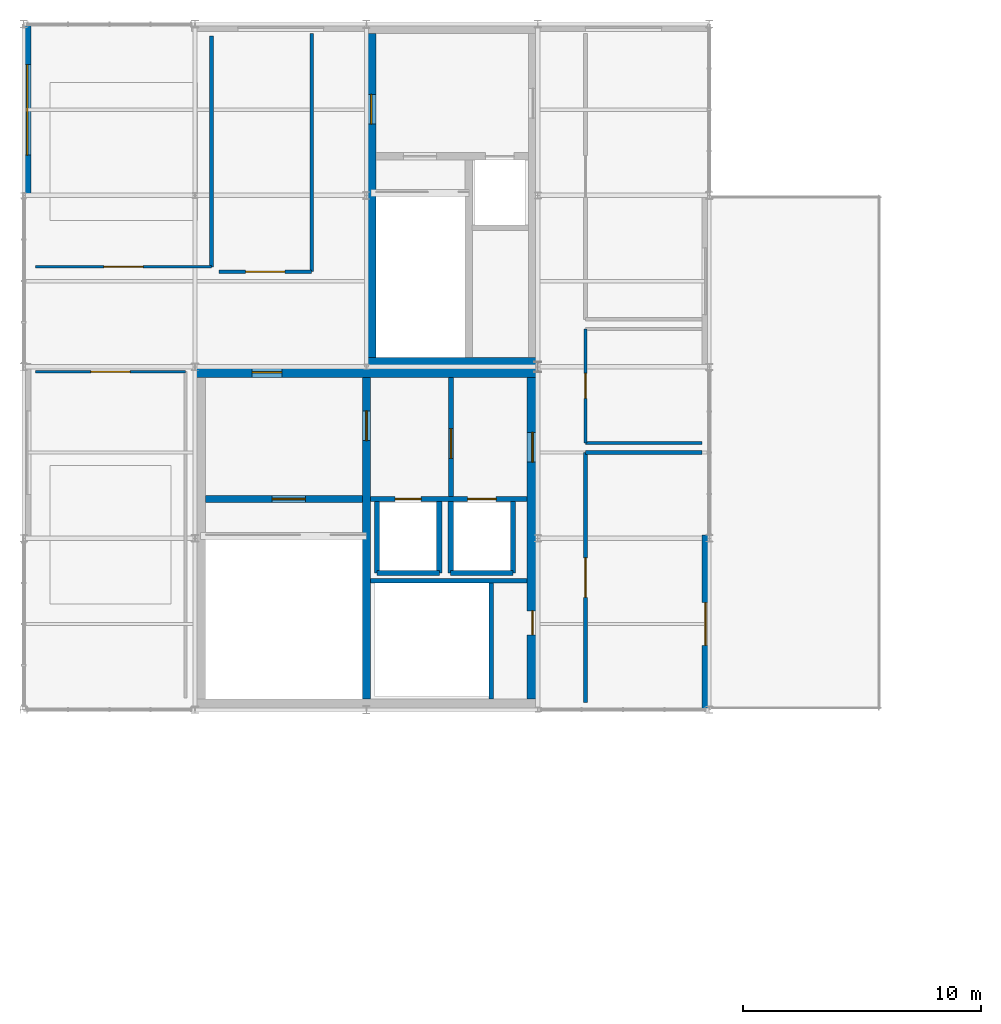
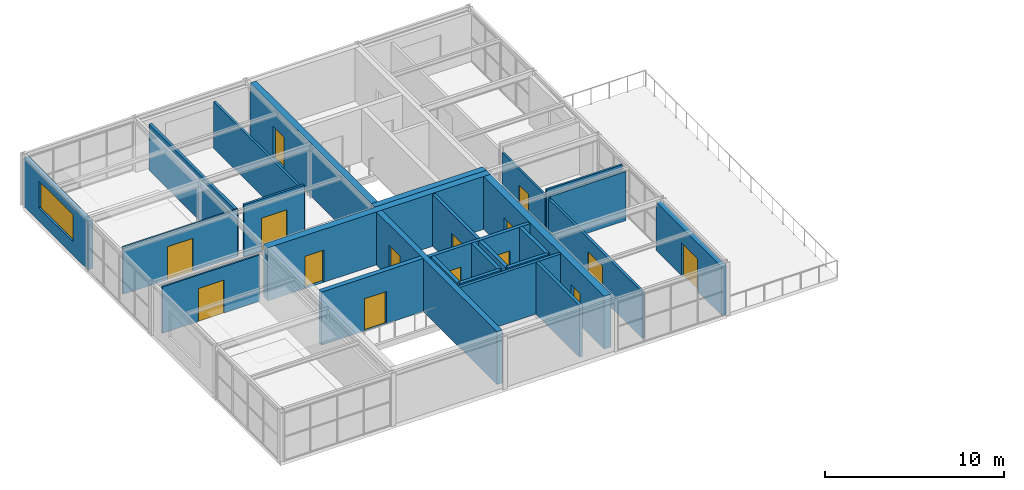
# One storey, part 8 of 12: 27 walls, 15 doors, 1 window, 16 openings.
"""IFC4 building model written with IfcOpenShell, lengths in metres."""

from ifc_helpers import new_model, si_unit, direction, frame, frame_2d, origin, place, context, subcontext, project, spatial, rectangle, extrude, material, layer, layer_set, type_object, element, fill, save


model = new_model("IFC4")

# Units and contexts
model_context = context("Model", 3, precision=1e-05, world=origin(), true_north=direction((0.0, 1.0)))
body_context = subcontext(model_context, "Body", "Model", "MODEL_VIEW")
ifc_project = project(units=[si_unit("LENGTHUNIT", "METRE"), si_unit("AREAUNIT", "SQUARE_METRE"), si_unit("VOLUMEUNIT", "CUBIC_METRE"), si_unit("PLANEANGLEUNIT", "RADIAN"), si_unit("MASSUNIT", "GRAM", prefix="KILO")], contexts=[model_context])

# Site, building, storey
site_placement = place(None, origin())
site = spatial("IfcSite", under=ifc_project, at=site_placement, CompositionType="ELEMENT")
building_placement = place(site_placement, origin())
building = spatial("IfcBuilding", under=site, at=building_placement, Name="Leyfeld Transit Interchange", CompositionType="ELEMENT")
storey_placement = place(building_placement, frame((0.0, 0.0, 21.60009765625)))
storey = spatial("IfcBuildingStorey", under=building, at=storey_placement, Name="L05", CompositionType="ELEMENT", Elevation=21.60009765625)

# Wall, opening, window
ifc_material_1 = material(Name="Austrian larch glulam GL28h", Category="wood")
ifc_layer_1 = layer(ifc_material_1, 0.31005859375, Name="Austrian larch glulam GL28h")
ifc_layer_set_1 = layer_set([ifc_layer_1], Name="Austrian larch glulam GL28h")
wall_type_1 = type_object("IfcWallType", Name="WL-EXT-LRC-310", PredefinedType="SOLIDWALL", material=ifc_layer_set_1)
wall_1_placement = place(storey_placement, frame((0.155029296875, 115.199951171875, 0.0), z_axis=(0.0, 0.0, 1.0), x_axis=(0.0, 1.0, 0.0)))
wall_1 = element("IfcWall", 1, at=wall_1_placement, inside=storey, type_object=wall_type_1, Name="External Facade Wall EW-L05-135", PredefinedType="SOLIDWALL", context=body_context, shape_type="SweptSolid", body=[
    extrude(rectangle(XDim=7.199951171875, YDim=0.31005859375, at=frame_2d((3.60009765625, 0.0))), origin(), (0.0, 0.0, 1.0), 3.31982421875),
])
opening_1_placement = place(wall_1_placement, frame((1.699951171875, 0.0, 0.89990234375)))
opening_1 = element("IfcOpeningElement", 2, at=opening_1_placement, cuts=wall_1, Name="Opening WM-18", PredefinedType="OPENING", context=body_context, shape_type="SweptSolid", body=[
    extrude(rectangle(XDim=3.800048828125, YDim=1.85009765625, at=frame_2d((1.89990234375, 0.925048828125))), frame((0.0, 0.1650390625, 0.0), z_axis=(0.0, -1.0, 0.0), x_axis=(1.0, 0.0, 0.0)), (0.0, 0.0, 1.0), 0.330078125),
])
ifc_material_2 = material(Name="Triple low-E insulated glazing", Category="glass")
window_type = type_object("IfcWindowType", Name="WIN-MOD-18", PartitioningType="SINGLE_PANEL", PredefinedType="WINDOW", material=ifc_material_2)
window_placement = place(opening_1_placement, origin())
window = element("IfcWindow", 3, at=window_placement, inside=storey, type_object=window_type, Name="Facade Window L05 095", OverallHeight=1.85009765625, OverallWidth=3.800048828125, PartitioningType="SINGLE_PANEL", PredefinedType="WINDOW", context=body_context, shape_type="SweptSolid", body=[
    extrude(rectangle(XDim=3.800048828125, YDim=1.85009765625, at=frame_2d((1.89990234375, 0.925048828125))), frame((0.0, 0.030029296875, 0.0), z_axis=(0.0, -1.0, 0.0), x_axis=(1.0, 0.0, 0.0)), (0.0, 0.0, 1.0), 0.06005859375),
])
fill(opening_1, window)

# Wall, opening, door
wall_2_placement = place(storey_placement, frame((28.64501953125, 100.93505859375, 0.0), z_axis=(0.0, 0.0, 1.0), x_axis=(0.0, -1.0, 0.0)))
wall_2 = element("IfcWall", 4, at=wall_2_placement, inside=storey, type_object=wall_type_1, Name="External Facade Wall EW-L05-139", PredefinedType="SOLIDWALL", context=body_context, shape_type="SweptSolid", body=[
    extrude(rectangle(XDim=7.3349609375, YDim=0.31005859375, at=frame_2d((3.66748046875, 0.0))), origin(), (0.0, 0.0, 1.0), 3.31982421875),
])
opening_2_placement = place(wall_2_placement, frame((2.835205078125, 0.0, 0.0)))
opening_2 = element("IfcOpeningElement", 5, at=opening_2_placement, cuts=wall_2, Name="Opening DE-06", PredefinedType="OPENING", context=body_context, shape_type="SweptSolid", body=[
    extrude(rectangle(XDim=1.800048828125, YDim=2.25, at=frame_2d((0.89990234375, 1.125))), frame((0.0, 0.1650390625, 0.0), z_axis=(0.0, -1.0, 0.0), x_axis=(1.0, 0.0, 0.0)), (0.0, 0.0, 1.0), 0.330078125),
])
ifc_material_3 = material(Name="Anodised aluminium EN AW-6060 T66", Category="aluminium")
door_type_1 = type_object("IfcDoorType", Name="DR-EXT-TER-1800x2250", OperationType="NOTDEFINED", PredefinedType="DOOR", material=ifc_material_3)
door_1_placement = place(opening_2_placement, origin())
door_1 = element("IfcDoor", 6, at=door_1_placement, inside=storey, type_object=door_type_1, Name="DR-TER-L05-026", OperationType="SINGLE_SWING_LEFT", OverallHeight=2.25, OverallWidth=1.800048828125, PredefinedType="DOOR", context=body_context, shape_type="SweptSolid", body=[
    extrude(rectangle(XDim=1.800048828125, YDim=2.25, at=frame_2d((0.89990234375, 1.125))), frame((0.0, 0.02490234375, 0.0), z_axis=(0.0, -1.0, 0.0), x_axis=(1.0, 0.0, 0.0)), (0.0, 0.0, 1.0), 0.050048828125),
])
fill(opening_2, door_1)

# Wall
ifc_material_4 = material(Name="Gypsum plasterboard acoustic stud", Category="gypsum")
ifc_layer_2 = layer(ifc_material_4, 0.159912109375, Name="Gypsum plasterboard acoustic stud")
ifc_layer_set_2 = layer_set([ifc_layer_2], Name="Gypsum plasterboard acoustic stud")
wall_type_2 = type_object("IfcWallType", Name="WL-INT-ACU-160", PredefinedType="PARTITIONING", material=ifc_layer_set_2)
wall_3_placement = place(storey_placement, frame((23.60009765625, 104.39990234375, 0.0), z_axis=(0.0, 0.0, 1.0), x_axis=(1.0, 0.0, 0.0)))
element("IfcWall", 7, at=wall_3_placement, inside=storey, type_object=wall_type_2, Name="Interior Partition L05-FOR-01 N", PredefinedType="PARTITIONING", context=body_context, shape_type="SweptSolid", body=[
    extrude(rectangle(XDim=4.89990234375, YDim=0.159912109375, at=frame_2d((2.449951171875, 0.0))), origin(), (0.0, 0.0, 1.0), 3.349853515625),
])

# Wall, opening, door
wall_4_placement = place(storey_placement, frame((23.60009765625, 93.89990234375, 0.0), z_axis=(0.0, 0.0, 1.0), x_axis=(0.0, 1.0, 0.0)))
wall_4 = element("IfcWall", 8, at=wall_4_placement, inside=storey, type_object=wall_type_2, Name="Interior Partition L05-FOR-01 W", PredefinedType="PARTITIONING", context=body_context, shape_type="SweptSolid", body=[
    extrude(rectangle(XDim=10.5, YDim=0.159912109375, at=frame_2d((5.25, 0.0))), origin(), (0.0, 0.0, 1.0), 3.169921875),
])
opening_3_placement = place(wall_4_placement, frame((4.425048828125, 0.0, 0.0)))
opening_3 = element("IfcOpeningElement", 9, at=opening_3_placement, cuts=wall_4, Name="Opening DV-07", PredefinedType="OPENING", context=body_context, shape_type="SweptSolid", body=[
    extrude(rectangle(XDim=1.64990234375, YDim=2.25, at=frame_2d((0.824951171875, 1.125))), frame((0.0, 0.08984375, 0.0), z_axis=(0.0, -1.0, 0.0), x_axis=(1.0, 0.0, 0.0)), (0.0, 0.0, 1.0), 0.179931640625),
])
door_type_2 = type_object("IfcDoorType", Name="DR-VAR-07", OperationType="NOTDEFINED", PredefinedType="DOOR", material=ifc_material_1)
door_2_placement = place(opening_3_placement, origin())
door_2 = element("IfcDoor", 10, at=door_2_placement, inside=storey, type_object=door_type_2, Name="DR-L05-FOR-01", OperationType="DOUBLE_DOOR_SINGLE_SWING", OverallHeight=2.25, OverallWidth=1.64990234375, PredefinedType="DOOR", context=body_context, shape_type="SweptSolid", body=[
    extrude(rectangle(XDim=1.64990234375, YDim=2.25, at=frame_2d((0.824951171875, 1.125))), frame((0.0, 0.02490234375, 0.0), z_axis=(0.0, -1.0, 0.0), x_axis=(1.0, 0.0, 0.0)), (0.0, 0.0, 1.0), 0.050048828125),
])
fill(opening_3, door_2)

# Wall
ifc_material_5 = material(Name="Calcium silicate masonry", Category="masonry")
ifc_layer_3 = layer(ifc_material_5, 0.175048828125, Name="Calcium silicate masonry")
ifc_layer_set_3 = layer_set([ifc_layer_3], Name="Calcium silicate masonry")
wall_type_3 = type_object("IfcWallType", Name="WL-INT-COR-175", PredefinedType="PARTITIONING", material=ifc_layer_set_3)
wall_5_placement = place(storey_placement, frame((7.89990234375, 121.89990234375, 0.0), z_axis=(0.0, 0.0, 1.0), x_axis=(0.0, -1.0, 0.0)))
element("IfcWall", 11, at=wall_5_placement, inside=storey, type_object=wall_type_3, Name="Interior Partition L05-CAN-01 E", PredefinedType="PARTITIONING", context=body_context, shape_type="SweptSolid", body=[
    extrude(rectangle(XDim=9.699951171875, YDim=0.175048828125, at=frame_2d((4.85009765625, 0.0))), origin(), (0.0, 0.0, 1.0), 3.169921875),
])

# Wall, opening, door
ifc_material_6 = material(Name="Concrete C35/45", Category="concrete")
ifc_layer_4 = layer(ifc_material_6, 0.199951171875, Name="Concrete C35/45")
ifc_layer_set_4 = layer_set([ifc_layer_4], Name="Concrete C35/45")
wall_type_4 = type_object("IfcWallType", Name="WL-INT-FFL-200", PredefinedType="PARTITIONING", material=ifc_layer_set_4)
wall_6_placement = place(storey_placement, frame((17.949951171875, 102.56005859375, 0.0), z_axis=(0.0, 0.0, 1.0), x_axis=(0.0, 1.0, 0.0)))
wall_6 = element("IfcWall", 12, at=wall_6_placement, inside=storey, type_object=wall_type_4, Name="Core K1 Firefighting Lobby Compartment Wall L05", PredefinedType="PARTITIONING", context=body_context, shape_type="SweptSolid", body=[
    extrude(rectangle(XDim=4.989990234375, YDim=0.199951171875, at=frame_2d((2.4951171875, 0.0))), origin(), (0.0, 0.0, 1.0), 3.5498046875),
])
opening_4_placement = place(wall_6_placement, frame((1.60009765625, 0.0, 0.0)))
opening_4 = element("IfcOpeningElement", 13, at=opening_4_placement, cuts=wall_6, Name="Opening DI-02", PredefinedType="OPENING", context=body_context, shape_type="SweptSolid", body=[
    extrude(rectangle(XDim=1.25, YDim=2.199951171875, at=frame_2d((0.625, 1.10009765625))), frame((0.0, 0.10986328125, 0.0), z_axis=(0.0, -1.0, 0.0), x_axis=(1.0, 0.0, 0.0)), (0.0, 0.0, 1.0), 0.219970703125),
])
ifc_material_7 = material(Name="Galvanised steel S275JR", Category="steel")
door_type_3 = type_object("IfcDoorType", Name="DR-FFL-1250x2200", OperationType="NOTDEFINED", PredefinedType="DOOR", material=ifc_material_7)
door_3_placement = place(opening_4_placement, origin())
door_3 = element("IfcDoor", 14, at=door_3_placement, inside=storey, type_object=door_type_3, Name="DR-FFL-CON-K1-L05", OperationType="SINGLE_SWING_RIGHT", OverallHeight=2.199951171875, OverallWidth=1.25, PredefinedType="DOOR", context=body_context, shape_type="SweptSolid", body=[
    extrude(rectangle(XDim=1.25, YDim=2.199951171875, at=frame_2d((0.625, 1.10009765625))), frame((0.0, 0.02490234375, 0.0), z_axis=(0.0, -1.0, 0.0), x_axis=(1.0, 0.0, 0.0)), (0.0, 0.0, 1.0), 0.050048828125),
])
fill(opening_4, door_3)

ifc_material_8 = material(Name="Laminated safety acoustic glazing", Category="glass")
ifc_layer_5 = layer(ifc_material_8, 0.10498046875, Name="Laminated safety acoustic glazing")
ifc_layer_set_5 = layer_set([ifc_layer_5], Name="Laminated safety acoustic glazing")
wall_type_5 = type_object("IfcWallType", Name="WL-INT-GLZ-105", PredefinedType="PARTITIONING", material=ifc_layer_set_5)
wall_7_placement = place(storey_placement, frame((0.5, 107.800048828125, 0.0), z_axis=(0.0, 0.0, 1.0), x_axis=(1.0, 0.0, 0.0)))
wall_7 = element("IfcWall", 15, at=wall_7_placement, inside=storey, type_object=wall_type_5, Name="Interior Partition L05-LOUNG-01 N", PredefinedType="PARTITIONING", context=body_context, shape_type="SweptSolid", body=[
    extrude(rectangle(XDim=6.300048828125, YDim=0.10498046875, at=frame_2d((3.14990234375, 0.0))), origin(), (0.0, 0.0, 1.0), 3.169921875),
])
opening_5_placement = place(wall_7_placement, frame((2.324951171875, 0.0, 0.0)))
opening_5 = element("IfcOpeningElement", 16, at=opening_5_placement, cuts=wall_7, Name="Opening DV-07", PredefinedType="OPENING", context=body_context, shape_type="SweptSolid", body=[
    extrude(rectangle(XDim=1.64990234375, YDim=2.25, at=frame_2d((0.824951171875, 1.125))), frame((0.0, 0.0625, 0.0), z_axis=(0.0, -1.0, 0.0), x_axis=(1.0, 0.0, 0.0)), (0.0, 0.0, 1.0), 0.125),
])
door_4_placement = place(opening_5_placement, origin())
door_4 = element("IfcDoor", 17, at=door_4_placement, inside=storey, type_object=door_type_2, Name="DR-L05-LOUNG-01", OperationType="DOUBLE_DOOR_SINGLE_SWING", OverallHeight=2.25, OverallWidth=1.64990234375, PredefinedType="DOOR", context=body_context, shape_type="SweptSolid", body=[
    extrude(rectangle(XDim=1.64990234375, YDim=2.25, at=frame_2d((0.824951171875, 1.125))), frame((0.0, 0.02490234375, 0.0), z_axis=(0.0, -1.0, 0.0), x_axis=(1.0, 0.0, 0.0)), (0.0, 0.0, 1.0), 0.050048828125),
])
fill(opening_5, door_4)

wall_8_placement = place(storey_placement, frame((7.89990234375, 112.199951171875, 0.0), z_axis=(0.0, 0.0, 1.0), x_axis=(-1.0, 0.0, 0.0)))
wall_8 = element("IfcWall", 18, at=wall_8_placement, inside=storey, type_object=wall_type_5, Name="Interior Partition L05-CAN-01 S", PredefinedType="PARTITIONING", context=body_context, shape_type="SweptSolid", body=[
    extrude(rectangle(XDim=7.39990234375, YDim=0.10498046875, at=frame_2d((3.699951171875, 0.0))), origin(), (0.0, 0.0, 1.0), 3.219970703125),
])
opening_6_placement = place(wall_8_placement, frame((2.875, 0.0, 0.0)))
opening_6 = element("IfcOpeningElement", 19, at=opening_6_placement, cuts=wall_8, Name="Opening DV-07", PredefinedType="OPENING", context=body_context, shape_type="SweptSolid", body=[
    extrude(rectangle(XDim=1.64990234375, YDim=2.25, at=frame_2d((0.824951171875, 1.125))), frame((0.0, 0.0625, 0.0), z_axis=(0.0, -1.0, 0.0), x_axis=(1.0, 0.0, 0.0)), (0.0, 0.0, 1.0), 0.125),
])
door_5_placement = place(opening_6_placement, origin())
door_5 = element("IfcDoor", 20, at=door_5_placement, inside=storey, type_object=door_type_2, Name="DR-L05-CAN-01", OperationType="DOUBLE_DOOR_SINGLE_SWING", OverallHeight=2.25, OverallWidth=1.64990234375, PredefinedType="DOOR", context=body_context, shape_type="SweptSolid", body=[
    extrude(rectangle(XDim=1.64990234375, YDim=2.25, at=frame_2d((0.824951171875, 1.125))), frame((0.0, 0.02490234375, 0.0), z_axis=(0.0, -1.0, 0.0), x_axis=(1.0, 0.0, 0.0)), (0.0, 0.0, 1.0), 0.050048828125),
])
fill(opening_6, door_5)

# Walls
ifc_layer_6 = layer(ifc_material_5, 0.18994140625, Name="Calcium silicate masonry")
ifc_layer_set_6 = layer_set([ifc_layer_6], Name="Calcium silicate masonry")
wall_type_6 = type_object("IfcWallType", Name="WL-INT-PLT-190", PredefinedType="PARTITIONING", material=ifc_layer_set_6)
wall_9_placement = place(storey_placement, frame((14.580078125, 99.02001953125, 0.0), z_axis=(0.0, 0.0, 1.0), x_axis=(1.0, 0.0, 0.0)))
element("IfcWall", 21, at=wall_9_placement, inside=storey, type_object=wall_type_6, Name="Core K1 Riser Compartment Wall L05", PredefinedType="PARTITIONING", context=body_context, shape_type="SweptSolid", body=[
    extrude(rectangle(XDim=6.56982421875, YDim=0.18994140625, at=frame_2d((3.284912109375, 0.0))), origin(), (0.0, 0.0, 1.0), 3.5498046875),
])
wall_10_placement = place(storey_placement, frame((19.64990234375, 94.050048828125, 0.0), z_axis=(0.0, 0.0, 1.0), x_axis=(0.0, 1.0, 0.0)))
element("IfcWall", 22, at=wall_10_placement, inside=storey, type_object=wall_type_6, Name="Core K1 Riser Shaft East Wall L05", PredefinedType="PARTITIONING", context=body_context, shape_type="SweptSolid", body=[
    extrude(rectangle(XDim=4.8798828125, YDim=0.18994140625, at=frame_2d((2.43994140625, 0.0))), origin(), (0.0, 0.0, 1.0), 3.5498046875),
])

# Wall, openings, doors
ifc_layer_7 = layer(ifc_material_6, 0.219970703125, Name="Concrete C35/45")
ifc_layer_set_7 = layer_set([ifc_layer_7], Name="Concrete C35/45")
wall_type_7 = type_object("IfcWallType", Name="WL-INT-SHF-220", PredefinedType="PARTITIONING", material=ifc_layer_set_7)
wall_11_placement = place(storey_placement, frame((14.580078125, 102.449951171875, 0.0), z_axis=(0.0, 0.0, 1.0), x_axis=(1.0, 0.0, 0.0)))
wall_11 = element("IfcWall", 23, at=wall_11_placement, inside=storey, type_object=wall_type_7, Name="Core K1 Lift Shaft Front Wall L05", PredefinedType="PARTITIONING", context=body_context, shape_type="SweptSolid", body=[
    extrude(rectangle(XDim=6.56982421875, YDim=0.219970703125, at=frame_2d((3.284912109375, 0.0))), origin(), (0.0, 0.0, 1.0), 3.5498046875),
])
opening_7_placement = place(wall_11_placement, frame((1.02001953125, 0.0, 0.0)))
opening_7 = element("IfcOpeningElement", 24, at=opening_7_placement, cuts=wall_11, Name="Opening LD-01", PredefinedType="OPENING", context=body_context, shape_type="SweptSolid", body=[
    extrude(rectangle(XDim=1.10009765625, YDim=2.14990234375, at=frame_2d((0.550048828125, 1.074951171875))), frame((0.0, 0.119873046875, 0.0), z_axis=(0.0, -1.0, 0.0), x_axis=(1.0, 0.0, 0.0)), (0.0, 0.0, 1.0), 0.239990234375),
])
opening_8_placement = place(wall_11_placement, frame((4.070068359375, 0.0, 0.0)))
opening_8 = element("IfcOpeningElement", 25, at=opening_8_placement, cuts=wall_11, Name="Opening LD-02", PredefinedType="OPENING", context=body_context, shape_type="SweptSolid", body=[
    extrude(rectangle(XDim=1.199951171875, YDim=2.14990234375, at=frame_2d((0.60009765625, 1.074951171875))), frame((0.0, 0.119873046875, 0.0), z_axis=(0.0, -1.0, 0.0), x_axis=(1.0, 0.0, 0.0)), (0.0, 0.0, 1.0), 0.239990234375),
])
ifc_material_9 = material(Name="Stainless steel EN 1.4404", Category="steel")
door_type_4 = type_object("IfcDoorType", Name="DR-LD-FFL-1100x2150", OperationType="NOTDEFINED", PredefinedType="DOOR", material=ifc_material_9)
door_6_placement = place(opening_7_placement, origin())
door_6 = element("IfcDoor", 26, at=door_6_placement, inside=storey, type_object=door_type_4, Name="LD-FFL-1-L05", OperationType="DOUBLE_DOOR_SLIDING", OverallHeight=2.14990234375, OverallWidth=1.10009765625, PredefinedType="DOOR", context=body_context, shape_type="SweptSolid", body=[
    extrude(rectangle(XDim=1.10009765625, YDim=2.14990234375, at=frame_2d((0.550048828125, 1.074951171875))), frame((0.0, 0.02490234375, 0.0), z_axis=(0.0, -1.0, 0.0), x_axis=(1.0, 0.0, 0.0)), (0.0, 0.0, 1.0), 0.050048828125),
])
fill(opening_7, door_6)
door_type_5 = type_object("IfcDoorType", Name="DR-LD-PAS-1200x2150", OperationType="NOTDEFINED", PredefinedType="DOOR", material=ifc_material_9)
door_7_placement = place(opening_8_placement, origin())
door_7 = element("IfcDoor", 27, at=door_7_placement, inside=storey, type_object=door_type_5, Name="LD-PL-1-L05", OperationType="DOUBLE_DOOR_SLIDING", OverallHeight=2.14990234375, OverallWidth=1.199951171875, PredefinedType="DOOR", context=body_context, shape_type="SweptSolid", body=[
    extrude(rectangle(XDim=1.199951171875, YDim=2.14990234375, at=frame_2d((0.60009765625, 1.074951171875))), frame((0.0, 0.02490234375, 0.0), z_axis=(0.0, -1.0, 0.0), x_axis=(1.0, 0.0, 0.0)), (0.0, 0.0, 1.0), 0.050048828125),
])
fill(opening_8, door_7)

# Walls
wall_12_placement = place(storey_placement, frame((14.840087890625, 99.340087890625, 0.0), z_axis=(0.0, 0.0, 1.0), x_axis=(1.0, 0.0, 0.0)))
element("IfcWall", 28, at=wall_12_placement, inside=storey, type_object=wall_type_7, Name="Core K1 Lift FFL-1 Shaft Back Wall L05", PredefinedType="PARTITIONING", context=body_context, shape_type="SweptSolid", body=[
    extrude(rectangle(XDim=2.619873046875, YDim=0.219970703125, at=frame_2d((1.31005859375, 0.0))), origin(), (0.0, 0.0, 1.0), 3.5498046875),
])
for number, where, z_axis, x_axis, name in (
    (29, (14.840087890625, 99.340087890625, 0.0), (0.0, 0.0, 1.0), (0.0, 1.0, 0.0), "Core K1 Lift FFL-1 Shaft Wall W L05"),
    (30, (17.4599609375, 99.340087890625, 0.0), (0.0, 0.0, 1.0), (0.0, 1.0, 0.0), "Core K1 Lift FFL-1 Shaft Wall E L05"),
):
    element("IfcWall", number, at=place(storey_placement, frame(where, z_axis=z_axis, x_axis=x_axis)), inside=storey, type_object=wall_type_7, Name=name, PredefinedType="PARTITIONING", context=body_context, shape_type="SweptSolid", body=[
        extrude(rectangle(XDim=3.0, YDim=0.219970703125, at=frame_2d((1.5, 0.0))), origin(), (0.0, 0.0, 1.0), 3.5498046875),
    ])
wall_13_placement = place(storey_placement, frame((17.93994140625, 99.340087890625, 0.0), z_axis=(0.0, 0.0, 1.0), x_axis=(1.0, 0.0, 0.0)))
element("IfcWall", 31, at=wall_13_placement, inside=storey, type_object=wall_type_7, Name="Core K1 Lift PL-1 Shaft Back Wall L05", PredefinedType="PARTITIONING", context=body_context, shape_type="SweptSolid", body=[
    extrude(rectangle(XDim=2.6201171875, YDim=0.219970703125, at=frame_2d((1.31005859375, 0.0))), origin(), (0.0, 0.0, 1.0), 3.5498046875),
])
for number, where, z_axis, x_axis, name in (
    (32, (17.93994140625, 99.340087890625, 0.0), (0.0, 0.0, 1.0), (0.0, 1.0, 0.0), "Core K1 Lift PL-1 Shaft Wall W L05"),
    (33, (20.56005859375, 99.340087890625, 0.0), (0.0, 0.0, 1.0), (0.0, 1.0, 0.0), "Core K1 Lift PL-1 Shaft Wall E L05"),
):
    element("IfcWall", number, at=place(storey_placement, frame(where, z_axis=z_axis, x_axis=x_axis)), inside=storey, type_object=wall_type_7, Name=name, PredefinedType="PARTITIONING", context=body_context, shape_type="SweptSolid", body=[
        extrude(rectangle(XDim=3.0, YDim=0.219970703125, at=frame_2d((1.5, 0.0))), origin(), (0.0, 0.0, 1.0), 3.5498046875),
    ])

# Wall, opening, door
ifc_layer_8 = layer(ifc_material_4, 0.14501953125, Name="Gypsum plasterboard acoustic stud")
ifc_layer_set_8 = layer_set([ifc_layer_8], Name="Gypsum plasterboard acoustic stud")
wall_type_8 = type_object("IfcWallType", Name="WL-INT-STD-145", PredefinedType="PARTITIONING", material=ifc_layer_set_8)
wall_14_placement = place(storey_placement, frame((12.10009765625, 112.0, 0.0), z_axis=(0.0, 0.0, 1.0), x_axis=(-1.0, 0.0, 0.0)))
wall_14 = element("IfcWall", 34, at=wall_14_placement, inside=storey, type_object=wall_type_8, Name="Interior Partition L05-KIT-01 S", PredefinedType="PARTITIONING", context=body_context, shape_type="SweptSolid", body=[
    extrude(rectangle(XDim=3.900146484375, YDim=0.14501953125, at=frame_2d((1.9501953125, 0.0))), origin(), (0.0, 0.0, 1.0), 3.5498046875),
])
opening_9_placement = place(wall_14_placement, frame((1.125, 0.0, 0.0)))
opening_9 = element("IfcOpeningElement", 35, at=opening_9_placement, cuts=wall_14, Name="Opening DV-07", PredefinedType="OPENING", context=body_context, shape_type="SweptSolid", body=[
    extrude(rectangle(XDim=1.64990234375, YDim=2.25, at=frame_2d((0.824951171875, 1.125))), frame((0.0, 0.08251953125, 0.0), z_axis=(0.0, -1.0, 0.0), x_axis=(1.0, 0.0, 0.0)), (0.0, 0.0, 1.0), 0.1650390625),
])
door_8_placement = place(opening_9_placement, origin())
door_8 = element("IfcDoor", 36, at=door_8_placement, inside=storey, type_object=door_type_2, Name="DR-L05-KIT-01", OperationType="DOUBLE_DOOR_SINGLE_SWING", OverallHeight=2.25, OverallWidth=1.64990234375, PredefinedType="DOOR", context=body_context, shape_type="SweptSolid", body=[
    extrude(rectangle(XDim=1.64990234375, YDim=2.25, at=frame_2d((0.824951171875, 1.125))), frame((0.0, 0.02490234375, 0.0), z_axis=(0.0, -1.0, 0.0), x_axis=(1.0, 0.0, 0.0)), (0.0, 0.0, 1.0), 0.050048828125),
])
fill(opening_9, door_8)

# Walls
wall_15_placement = place(storey_placement, frame((12.10009765625, 122.0, 0.0), z_axis=(0.0, 0.0, 1.0), x_axis=(0.0, -1.0, 0.0)))
element("IfcWall", 37, at=wall_15_placement, inside=storey, type_object=wall_type_8, Name="Interior Partition L05-KIT-01 E", PredefinedType="PARTITIONING", context=body_context, shape_type="SweptSolid", body=[
    extrude(rectangle(XDim=10.0, YDim=0.14501953125, at=frame_2d((5.0, 0.0))), origin(), (0.0, 0.0, 1.0), 3.169921875),
])
ifc_material_10 = material(Name="Autoclaved aerated blockwork G4", Category="masonry")
ifc_layer_9 = layer(ifc_material_10, 0.125, Name="Autoclaved aerated blockwork G4")
ifc_layer_set_9 = layer_set([ifc_layer_9], Name="Autoclaved aerated blockwork G4")
wall_type_9 = type_object("IfcWallType", Name="WL-INT-WC-125", PredefinedType="PARTITIONING", material=ifc_layer_set_9)
wall_16_placement = place(storey_placement, frame((28.5, 104.800048828125, 0.0), z_axis=(0.0, 0.0, 1.0), x_axis=(-1.0, 0.0, 0.0)))
element("IfcWall", 38, at=wall_16_placement, inside=storey, type_object=wall_type_9, Name="Interior Partition L05-WCA-01 S", PredefinedType="PARTITIONING", context=body_context, shape_type="SweptSolid", body=[
    extrude(rectangle(XDim=4.89990234375, YDim=0.125, at=frame_2d((2.449951171875, 0.0))), origin(), (0.0, 0.0, 1.0), 3.5498046875),
])

# Wall, opening, door
wall_17_placement = place(storey_placement, frame((23.60009765625, 104.800048828125, 0.0), z_axis=(0.0, 0.0, 1.0), x_axis=(0.0, 1.0, 0.0)))
wall_17 = element("IfcWall", 39, at=wall_17_placement, inside=storey, type_object=wall_type_9, Name="Interior Partition L05-WCA-01 W", PredefinedType="PARTITIONING", context=body_context, shape_type="SweptSolid", body=[
    extrude(rectangle(XDim=4.800048828125, YDim=0.125, at=frame_2d((2.39990234375, 0.0))), origin(), (0.0, 0.0, 1.0), 3.169921875),
])
opening_10_placement = place(wall_17_placement, frame((1.875, 0.0, 0.0)))
opening_10 = element("IfcOpeningElement", 40, at=opening_10_placement, cuts=wall_17, Name="Opening DI-09", PredefinedType="OPENING", context=body_context, shape_type="SweptSolid", body=[
    extrude(rectangle(XDim=1.050048828125, YDim=2.10009765625, at=frame_2d((0.52490234375, 1.050048828125))), frame((0.0, 0.072509765625, 0.0), z_axis=(0.0, -1.0, 0.0), x_axis=(1.0, 0.0, 0.0)), (0.0, 0.0, 1.0), 0.14501953125),
])
door_type_6 = type_object("IfcDoorType", Name="DR-WCA-1050x2100", OperationType="NOTDEFINED", PredefinedType="DOOR", material=ifc_material_1)
door_9_placement = place(opening_10_placement, origin())
door_9 = element("IfcDoor", 41, at=door_9_placement, inside=storey, type_object=door_type_6, Name="DR-L05-WCA-01", OperationType="SINGLE_SWING_LEFT", OverallHeight=2.10009765625, OverallWidth=1.050048828125, PredefinedType="DOOR", context=body_context, shape_type="SweptSolid", body=[
    extrude(rectangle(XDim=1.050048828125, YDim=2.10009765625, at=frame_2d((0.52490234375, 1.050048828125))), frame((0.0, 0.02490234375, 0.0), z_axis=(0.0, -1.0, 0.0), x_axis=(1.0, 0.0, 0.0)), (0.0, 0.0, 1.0), 0.050048828125),
])
fill(opening_10, door_9)

ifc_layer_10 = layer(ifc_material_6, 0.300048828125, Name="Concrete C35/45")
ifc_layer_set_10 = layer_set([ifc_layer_10], Name="Concrete C35/45")
wall_type_10 = type_object("IfcWallType", Name="WL-SH-300", PredefinedType="SHEAR", material=ifc_layer_set_10)
wall_18_placement = place(storey_placement, frame((7.64990234375, 102.449951171875, 0.0), z_axis=(0.0, 0.0, 1.0), x_axis=(1.0, 0.0, 0.0)))
wall_18 = element("IfcWall", 42, at=wall_18_placement, inside=storey, type_object=wall_type_10, Name="Core K1 Shear Wall STRN L05", PredefinedType="SHEAR", context=body_context, shape_type="SweptSolid", body=[
    extrude(rectangle(XDim=6.5751953125, YDim=0.300048828125, at=frame_2d((3.28759765625, 0.0))), origin(), (0.0, 0.0, 1.0), 3.619873046875),
])
opening_11_placement = place(wall_18_placement, frame((2.78759765625, 0.0, 0.0)))
opening_11 = element("IfcOpeningElement", 43, at=opening_11_placement, cuts=wall_18, Name="Opening DI-01", PredefinedType="OPENING", context=body_context, shape_type="SweptSolid", body=[
    extrude(rectangle(XDim=1.39990234375, YDim=2.199951171875, at=frame_2d((0.699951171875, 1.10009765625))), frame((0.0, 0.159912109375, 0.0), z_axis=(0.0, -1.0, 0.0), x_axis=(1.0, 0.0, 0.0)), (0.0, 0.0, 1.0), 0.320068359375),
])
door_type_7 = type_object("IfcDoorType", Name="DR-STR-1400x2200", OperationType="NOTDEFINED", PredefinedType="DOOR", material=ifc_material_7)
door_10_placement = place(opening_11_placement, origin())
door_10 = element("IfcDoor", 44, at=door_10_placement, inside=storey, type_object=door_type_7, Name="DR-STR-INT-K1-L05", OperationType="SINGLE_SWING_LEFT", OverallHeight=2.199951171875, OverallWidth=1.39990234375, PredefinedType="DOOR", context=body_context, shape_type="SweptSolid", body=[
    extrude(rectangle(XDim=1.39990234375, YDim=2.199951171875, at=frame_2d((0.699951171875, 1.10009765625))), frame((0.0, 0.02490234375, 0.0), z_axis=(0.0, -1.0, 0.0), x_axis=(1.0, 0.0, 0.0)), (0.0, 0.0, 1.0), 0.050048828125),
])
fill(opening_11, door_10)

ifc_layer_11 = layer(ifc_material_6, 0.35009765625, Name="Concrete C35/45")
ifc_layer_set_11 = layer_set([ifc_layer_11], Name="Concrete C35/45")
wall_type_11 = type_object("IfcWallType", Name="WL-SH-350", PredefinedType="SHEAR", material=ifc_layer_set_11)
wall_19_placement = place(storey_placement, frame((14.39990234375, 107.550048828125, 0.0), z_axis=(0.0, 0.0, 1.0), x_axis=(0.0, -1.0, 0.0)))
wall_19 = element("IfcWall", 45, at=wall_19_placement, inside=storey, type_object=wall_type_11, Name="Core K1 Shear Wall MID L05", PredefinedType="SHEAR", context=body_context, shape_type="SweptSolid", body=[
    extrude(rectangle(XDim=13.5, YDim=0.35009765625, at=frame_2d((6.75, 0.0))), origin(), (0.0, 0.0, 1.0), 3.619873046875),
])
opening_12_placement = place(wall_19_placement, frame((1.39990234375, 0.0, 0.0)))
opening_12 = element("IfcOpeningElement", 46, at=opening_12_placement, cuts=wall_19, Name="Opening DI-02", PredefinedType="OPENING", context=body_context, shape_type="SweptSolid", body=[
    extrude(rectangle(XDim=1.25, YDim=2.199951171875, at=frame_2d((0.625, 1.10009765625))), frame((0.0, 0.18505859375, 0.0), z_axis=(0.0, -1.0, 0.0), x_axis=(1.0, 0.0, 0.0)), (0.0, 0.0, 1.0), 0.3701171875),
])
door_11_placement = place(opening_12_placement, origin())
door_11 = element("IfcDoor", 47, at=door_11_placement, inside=storey, type_object=door_type_3, Name="DR-CORE-MID-K1-L05", OperationType="SINGLE_SWING_RIGHT", OverallHeight=2.199951171875, OverallWidth=1.25, PredefinedType="DOOR", context=body_context, shape_type="SweptSolid", body=[
    extrude(rectangle(XDim=1.25, YDim=2.199951171875, at=frame_2d((0.625, 1.10009765625))), frame((0.0, 0.02490234375, 0.0), z_axis=(0.0, -1.0, 0.0), x_axis=(1.0, 0.0, 0.0)), (0.0, 0.0, 1.0), 0.050048828125),
])
fill(opening_12, door_11)

# Wall
ifc_layer_12 = layer(ifc_material_6, 0.39990234375, Name="Concrete C35/45")
ifc_layer_set_12 = layer_set([ifc_layer_12], Name="Concrete C35/45")
wall_type_12 = type_object("IfcWallType", Name="WL-SH-400", PredefinedType="SHEAR", material=ifc_layer_set_12)
wall_20_placement = place(storey_placement, frame((21.60009765625, 108.199951171875, 0.0), z_axis=(0.0, 0.0, 1.0), x_axis=(-1.0, 0.0, 0.0)))
element("IfcWall", 48, at=wall_20_placement, inside=storey, type_object=wall_type_12, Name="Core K2 Shear Wall S L05", PredefinedType="SHEAR", context=body_context, shape_type="SweptSolid", body=[
    extrude(rectangle(XDim=7.2001953125, YDim=0.39990234375, at=frame_2d((3.60009765625, 0.0))), origin(), (0.0, 0.0, 1.0), 3.619873046875),
])

# Wall, opening, door
wall_21_placement = place(storey_placement, frame((14.60009765625, 108.39990234375, 0.0), z_axis=(0.0, 0.0, 1.0), x_axis=(0.0, 1.0, 0.0)))
wall_21 = element("IfcWall", 49, at=wall_21_placement, inside=storey, type_object=wall_type_12, Name="Core K2 Shear Wall W L05", PredefinedType="SHEAR", context=body_context, shape_type="SweptSolid", body=[
    extrude(rectangle(XDim=13.60009765625, YDim=0.39990234375, at=frame_2d((6.800048828125, 0.0))), origin(), (0.0, 0.0, 1.0), 3.619873046875),
])
opening_13_placement = place(wall_21_placement, frame((9.800048828125, 0.0, 0.0)))
opening_13 = element("IfcOpeningElement", 50, at=opening_13_placement, cuts=wall_21, Name="Opening DI-02", PredefinedType="OPENING", context=body_context, shape_type="SweptSolid", body=[
    extrude(rectangle(XDim=1.25, YDim=2.199951171875, at=frame_2d((0.625, 1.10009765625))), frame((0.0, 0.2099609375, 0.0), z_axis=(0.0, -1.0, 0.0), x_axis=(1.0, 0.0, 0.0)), (0.0, 0.0, 1.0), 0.419921875),
])
door_12_placement = place(opening_13_placement, origin())
door_12 = element("IfcDoor", 51, at=door_12_placement, inside=storey, type_object=door_type_3, Name="DR-CORE-OUT-K2-L05-W", OperationType="SINGLE_SWING_LEFT", OverallHeight=2.199951171875, OverallWidth=1.25, PredefinedType="DOOR", context=body_context, shape_type="SweptSolid", body=[
    extrude(rectangle(XDim=1.25, YDim=2.199951171875, at=frame_2d((0.625, 1.10009765625))), frame((0.0, 0.02490234375, 0.0), z_axis=(0.0, -1.0, 0.0), x_axis=(1.0, 0.0, 0.0)), (0.0, 0.0, 1.0), 0.050048828125),
])
fill(opening_13, door_12)

ifc_layer_13 = layer(ifc_material_6, 0.449951171875, Name="Concrete C35/45")
ifc_layer_set_13 = layer_set([ifc_layer_13], Name="Concrete C35/45")
wall_type_13 = type_object("IfcWallType", Name="WL-SH-450", PredefinedType="SHEAR", material=ifc_layer_set_13)
wall_22_placement = place(storey_placement, frame((7.199951171875, 107.77490234375, 0.0), z_axis=(0.0, 0.0, 1.0), x_axis=(1.0, 0.0, 0.0)))
wall_22 = element("IfcWall", 52, at=wall_22_placement, inside=storey, type_object=wall_type_13, Name="Core K1 Shear Wall N L05", PredefinedType="SHEAR", context=body_context, shape_type="SweptSolid", body=[
    extrude(rectangle(XDim=14.400146484375, YDim=0.449951171875, at=frame_2d((7.2001953125, 0.0))), origin(), (0.0, 0.0, 1.0), 3.619873046875),
])
opening_14_placement = place(wall_22_placement, frame((2.39990234375, 0.0, 0.0)))
opening_14 = element("IfcOpeningElement", 53, at=opening_14_placement, cuts=wall_22, Name="Opening DI-02", PredefinedType="OPENING", context=body_context, shape_type="SweptSolid", body=[
    extrude(rectangle(XDim=1.25, YDim=2.199951171875, at=frame_2d((0.625, 1.10009765625))), frame((0.0, 0.23486328125, 0.0), z_axis=(0.0, -1.0, 0.0), x_axis=(1.0, 0.0, 0.0)), (0.0, 0.0, 1.0), 0.469970703125),
])
door_13_placement = place(opening_14_placement, origin())
door_13 = element("IfcDoor", 54, at=door_13_placement, inside=storey, type_object=door_type_3, Name="DR-CORE-OUT-K1-L05-N", OperationType="SINGLE_SWING_LEFT", OverallHeight=2.199951171875, OverallWidth=1.25, PredefinedType="DOOR", context=body_context, shape_type="SweptSolid", body=[
    extrude(rectangle(XDim=1.25, YDim=2.199951171875, at=frame_2d((0.625, 1.10009765625))), frame((0.0, 0.02490234375, 0.0), z_axis=(0.0, -1.0, 0.0), x_axis=(1.0, 0.0, 0.0)), (0.0, 0.0, 1.0), 0.050048828125),
])
fill(opening_14, door_13)

# Wall, openings, doors
wall_23_placement = place(storey_placement, frame((21.375, 107.550048828125, 0.0), z_axis=(0.0, 0.0, 1.0), x_axis=(0.0, -1.0, 0.0)))
wall_23 = element("IfcWall", 55, at=wall_23_placement, inside=storey, type_object=wall_type_13, Name="Core K1 Shear Wall E L05", PredefinedType="SHEAR", context=body_context, shape_type="SweptSolid", body=[
    extrude(rectangle(XDim=13.5, YDim=0.449951171875, at=frame_2d((6.75, 0.0))), origin(), (0.0, 0.0, 1.0), 3.619873046875),
])
opening_15_placement = place(wall_23_placement, frame((9.800048828125, 0.0, 0.0)))
opening_15 = element("IfcOpeningElement", 56, at=opening_15_placement, cuts=wall_23, Name="Opening DI-05", PredefinedType="OPENING", context=body_context, shape_type="SweptSolid", body=[
    extrude(rectangle(XDim=1.0, YDim=2.14990234375, at=frame_2d((0.5, 1.074951171875))), frame((0.0, 0.23486328125, 0.0), z_axis=(0.0, -1.0, 0.0), x_axis=(1.0, 0.0, 0.0)), (0.0, 0.0, 1.0), 0.469970703125),
])
opening_16_placement = place(wall_23_placement, frame((2.300048828125, 0.0, 0.0)))
opening_16 = element("IfcOpeningElement", 57, at=opening_16_placement, cuts=wall_23, Name="Opening DI-02", PredefinedType="OPENING", context=body_context, shape_type="SweptSolid", body=[
    extrude(rectangle(XDim=1.25, YDim=2.199951171875, at=frame_2d((0.625, 1.10009765625))), frame((0.0, 0.23486328125, 0.0), z_axis=(0.0, -1.0, 0.0), x_axis=(1.0, 0.0, 0.0)), (0.0, 0.0, 1.0), 0.469970703125),
])
door_14_placement = place(opening_16_placement, origin())
door_14 = element("IfcDoor", 58, at=door_14_placement, inside=storey, type_object=door_type_3, Name="DR-CORE-OUT-K1-L05-E", OperationType="SINGLE_SWING_RIGHT", OverallHeight=2.199951171875, OverallWidth=1.25, PredefinedType="DOOR", context=body_context, shape_type="SweptSolid", body=[
    extrude(rectangle(XDim=1.25, YDim=2.199951171875, at=frame_2d((0.625, 1.10009765625))), frame((0.0, 0.02490234375, 0.0), z_axis=(0.0, -1.0, 0.0), x_axis=(1.0, 0.0, 0.0)), (0.0, 0.0, 1.0), 0.050048828125),
])
fill(opening_16, door_14)
door_type_8 = type_object("IfcDoorType", Name="DR-OFF-1000x2150", OperationType="NOTDEFINED", PredefinedType="DOOR", material=ifc_material_1)
door_15_placement = place(opening_15_placement, origin())
door_15 = element("IfcDoor", 59, at=door_15_placement, inside=storey, type_object=door_type_8, Name="DR-RSR-K1-L05", OperationType="SINGLE_SWING_LEFT", OverallHeight=2.14990234375, OverallWidth=1.0, PredefinedType="DOOR", context=body_context, shape_type="SweptSolid", body=[
    extrude(rectangle(XDim=1.0, YDim=2.14990234375, at=frame_2d((0.5, 1.074951171875))), frame((0.0, 0.02490234375, 0.0), z_axis=(0.0, -1.0, 0.0), x_axis=(1.0, 0.0, 0.0)), (0.0, 0.0, 1.0), 0.050048828125),
])
fill(opening_15, door_15)

save(model, "model.ifc")
